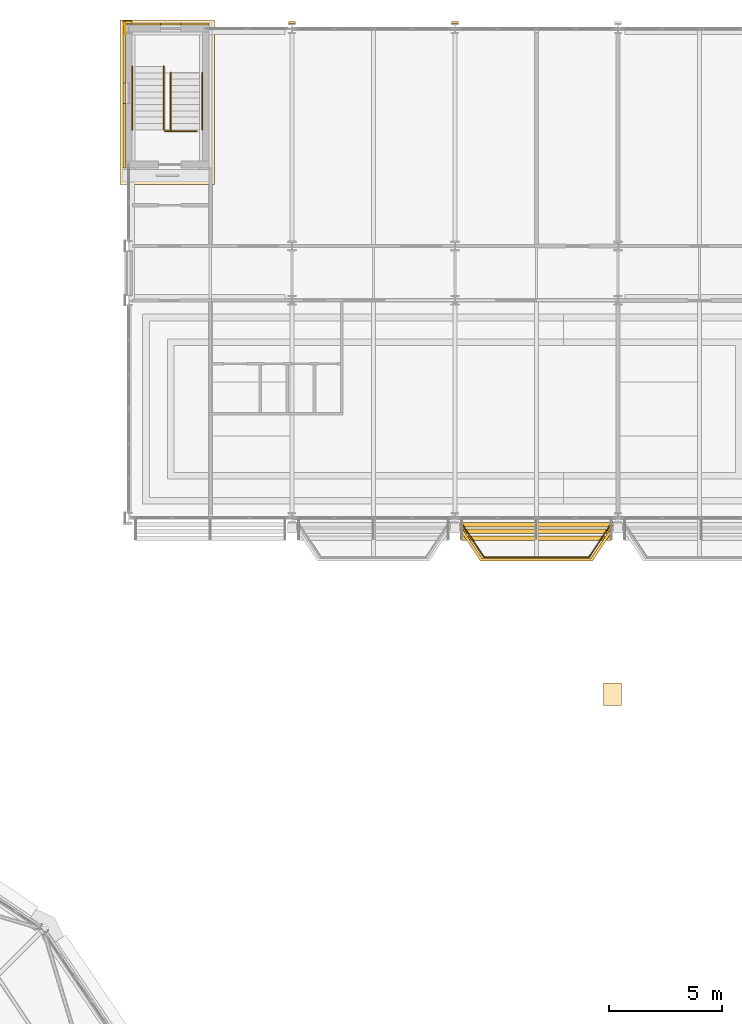
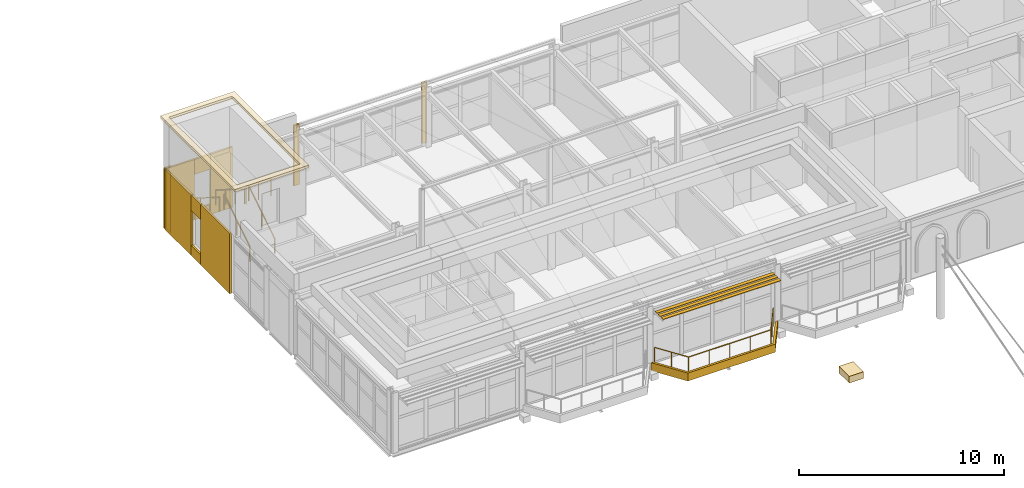
# One storey, part 62 of 68: 16 coverings, 6 railings, 3 shading devices.
"""IFC4 building model written with IfcOpenShell, lengths in metres."""

from ifc_helpers import new_model, si_unit, direction, frame, origin, origin_2d, place, context, subcontext, project, spatial, polyline, rectangle, circle, outline, extrude, material, layer, layer_set, type_object, element, save


model = new_model("IFC4")

# Units and contexts
model_context = context("Model", 3, precision=1e-05, world=origin(), true_north=direction((0.0, 1.0)))
body_context = subcontext(model_context, "Body", "Model", "MODEL_VIEW")
ifc_project = project(units=[si_unit("LENGTHUNIT", "METRE"), si_unit("AREAUNIT", "SQUARE_METRE"), si_unit("VOLUMEUNIT", "CUBIC_METRE"), si_unit("PLANEANGLEUNIT", "RADIAN"), si_unit("MASSUNIT", "GRAM", prefix="KILO")], contexts=[model_context])

# Site, building, storey
site_placement = place(None, origin())
site = spatial("IfcSite", under=ifc_project, at=site_placement, CompositionType="ELEMENT")
building_placement = place(site_placement, origin())
building = spatial("IfcBuilding", under=site, at=building_placement, Name="Kupolbacken Congress Centre", CompositionType="ELEMENT")
storey_placement = place(building_placement, frame((0.0, 0.0, 25.199951171875)))
storey = spatial("IfcBuildingStorey", under=building, at=storey_placement, Name="L07", CompositionType="ELEMENT", Elevation=25.199951171875)

# Coverings
ifc_material_1 = material(Name="Limestone cladding", Category="masonry")
ifc_layer_1 = layer(ifc_material_1, 0.1201171875)
ifc_layer_set_1 = layer_set([ifc_layer_1], Name="Limestone cladding")
covering_type_1 = type_object("IfcCoveringType", Name="CV1 limestone cladding band 120", PredefinedType="CLADDING", material=ifc_layer_set_1)
covering_1_placement = place(storey_placement, frame((0.0, 0.0, -0.199951171875)))
element("IfcCovering", 1, at=covering_1_placement, inside=storey, type_object=covering_type_1, Name="E/T/belt/L07/S/79.2", PredefinedType="CLADDING", context=body_context, shape_type="SweptSolid", body=[
    extrude(outline(polyline([(86.377685546875, 122.14990234375), (86.2333984375, 122.14990234375), (85.199951171875, 120.60009765625), (80.39990234375, 120.60009765625), (79.36669921875, 122.14990234375), (79.222412109375, 122.14990234375), (80.335693359375, 120.47998046875), (85.26416015625, 120.47998046875), (86.377685546875, 122.14990234375)])), origin(), (0.0, 0.0, 1.0), 0.47998046875),
])
ifc_material_2 = material(Name="Limestone cladding", Category="masonry")
ifc_layer_2 = layer(ifc_material_2, 0.14990234375)
ifc_layer_set_2 = layer_set([ifc_layer_2], Name="Limestone cladding")
covering_type_2 = type_object("IfcCoveringType", Name="CV11 limestone parapet coping 150", PredefinedType="CLADDING", material=ifc_layer_set_2)
covering_2_placement = place(storey_placement, frame((0.0, 0.0, 6.5400390625)))
element("IfcCovering", 2, at=covering_2_placement, inside=storey, type_object=covering_type_2, Name="Stair head-house coping TS3", PredefinedType="CLADDING", context=body_context, shape_type="SweptSolid", body=[
    extrude(outline(polyline([(64.419921875, 137.1201171875), (68.580078125, 137.1201171875), (68.580078125, 144.3798828125), (64.419921875, 144.3798828125), (64.419921875, 137.1201171875)]), holes=[polyline([(64.719970703125, 137.419921875), (64.719970703125, 144.080078125), (68.280029296875, 144.080078125), (68.280029296875, 137.419921875), (64.719970703125, 137.419921875)])]), origin(), (0.0, 0.0, 1.0), 0.14990234375),
])
ifc_material_3 = material(Name="Brick cladding", Category="masonry")
ifc_layer_3 = layer(ifc_material_3, 0.10791015625)
ifc_layer_set_3 = layer_set([ifc_layer_3], Name="Brick cladding")
covering_type_3 = type_object("IfcCoveringType", Name="CV2 brick cladding band 108", PredefinedType="CLADDING", material=ifc_layer_set_3)
covering_3_placement = place(storey_placement, frame((64.60009765625, 144.27490234375, 0.0), z_axis=(0.0, 0.0, 1.0), x_axis=(1.0, 0.0, 0.0)))
element("IfcCovering", 3, at=covering_3_placement, inside=storey, type_object=covering_type_3, Name="E/T/pilaster/L07/C-T-10W/corner", PredefinedType="CLADDING", context=body_context, shape_type="SweptSolid", body=[
    extrude(rectangle(XDim=0.10009765625, YDim=0.10009765625, at=origin_2d()), origin(), (0.0, 0.0, 1.0), 3.60009765625),
])
covering_4_placement = place(storey_placement, frame((64.800048828125, 144.27490234375, 0.0), z_axis=(0.0, 0.0, 1.0), x_axis=(1.0, 0.0, 0.0)))
element("IfcCovering", 4, at=covering_4_placement, inside=storey, type_object=covering_type_3, Name="E/T/pilaster/L07/C-T-10W/N", PredefinedType="CLADDING", context=body_context, shape_type="SweptSolid", body=[
    extrude(rectangle(XDim=0.300048828125, YDim=0.10009765625, at=origin_2d()), origin(), (0.0, 0.0, 1.0), 3.60009765625),
])
covering_5_placement = place(storey_placement, frame((64.639892578125, 144.0, 0.0), z_axis=(0.0, 0.0, 1.0), x_axis=(1.0, 0.0, 0.0)))
element("IfcCovering", 5, at=covering_5_placement, inside=storey, type_object=covering_type_3, Name="E/T/pilaster/L07/C-T-10W/W", PredefinedType="CLADDING", context=body_context, shape_type="SweptSolid", body=[
    extrude(rectangle(XDim=0.02001953125, YDim=0.449951171875, at=origin_2d()), origin(), (0.0, 0.0, 1.0), 3.60009765625),
])
for number, where, z_axis, x_axis, name in (
    (6, (72.0, 144.26611328125, 0.0), (0.0, 0.0, 1.0), (1.0, 0.0, 0.0), "E/T/pilaster/L07/C-T-11W/N"),
    (7, (79.199951171875, 144.26611328125, 0.0), (0.0, 0.0, 1.0), (1.0, 0.0, 0.0), "E/T/pilaster/L07/C-T-12W/N"),
):
    element("IfcCovering", number, at=place(storey_placement, frame(where, z_axis=z_axis, x_axis=x_axis)), inside=storey, type_object=covering_type_3, Name=name, PredefinedType="CLADDING", context=body_context, shape_type="SweptSolid", body=[
        extrude(rectangle(XDim=0.306884765625, YDim=0.10009765625, at=origin_2d()), origin(), (0.0, 0.0, 1.0), 3.60009765625),
    ])
covering_6_placement = place(storey_placement, frame((64.595947265625, 142.875, 0.0), z_axis=(0.0, 0.0, 1.0), x_axis=(0.0, -1.0, 0.0)))
element("IfcCovering", 8, at=covering_6_placement, inside=storey, type_object=covering_type_3, Name="S/core/L07/124/face0", PredefinedType="CLADDING", context=body_context, shape_type="SweptSolid", body=[
    extrude(rectangle(XDim=2.550048828125, YDim=0.10791015625, at=origin_2d()), origin(), (0.0, 0.0, 1.0), 3.60009765625),
])
covering_7_placement = place(storey_placement, frame((64.595947265625, 139.27490234375, 0.0), z_axis=(0.0, 0.0, 1.0), x_axis=(0.0, -1.0, 0.0)))
element("IfcCovering", 9, at=covering_7_placement, inside=storey, type_object=covering_type_3, Name="S/core/L07/124/face1", PredefinedType="CLADDING", context=body_context, shape_type="SweptSolid", body=[
    extrude(rectangle(XDim=2.85009765625, YDim=0.10791015625, at=origin_2d()), origin(), (0.0, 0.0, 1.0), 3.60009765625),
])
covering_8_placement = place(storey_placement, frame((64.595947265625, 141.14990234375, 0.0), z_axis=(0.0, 0.0, 1.0), x_axis=(0.0, -1.0, 0.0)))
element("IfcCovering", 10, at=covering_8_placement, inside=storey, type_object=covering_type_3, Name="S/core/L07/124/face2", PredefinedType="CLADDING", context=body_context, shape_type="SweptSolid", body=[
    extrude(rectangle(XDim=0.89990234375, YDim=0.10791015625, at=origin_2d()), origin(), (0.0, 0.0, 1.0), 0.60009765625),
])
covering_9_placement = place(storey_placement, frame((64.595947265625, 141.14990234375, 2.7001953125), z_axis=(0.0, 0.0, 1.0), x_axis=(0.0, -1.0, 0.0)))
element("IfcCovering", 11, at=covering_9_placement, inside=storey, type_object=covering_type_3, Name="S/core/L07/124/face3", PredefinedType="CLADDING", context=body_context, shape_type="SweptSolid", body=[
    extrude(rectangle(XDim=0.89990234375, YDim=0.10791015625, at=origin_2d()), origin(), (0.0, 0.0, 1.0), 0.89990234375),
])
covering_10_placement = place(storey_placement, frame((67.72509765625, 144.2041015625, 0.0), z_axis=(0.0, 0.0, 1.0), x_axis=(-1.0, 0.0, 0.0)))
element("IfcCovering", 12, at=covering_10_placement, inside=storey, type_object=covering_type_3, Name="S/core/L07/125/face0", PredefinedType="CLADDING", context=body_context, shape_type="SweptSolid", body=[
    extrude(rectangle(XDim=1.25, YDim=0.10791015625, at=origin_2d()), origin(), (0.0, 0.0, 1.0), 3.60009765625),
])
covering_11_placement = place(storey_placement, frame((65.425048828125, 144.2041015625, 0.0), z_axis=(0.0, 0.0, 1.0), x_axis=(-1.0, 0.0, 0.0)))
element("IfcCovering", 13, at=covering_11_placement, inside=storey, type_object=covering_type_3, Name="S/core/L07/125/face1", PredefinedType="CLADDING", context=body_context, shape_type="SweptSolid", body=[
    extrude(rectangle(XDim=1.550048828125, YDim=0.10791015625, at=origin_2d()), origin(), (0.0, 0.0, 1.0), 3.60009765625),
])
covering_12_placement = place(storey_placement, frame((66.64990234375, 144.2041015625, 0.0), z_axis=(0.0, 0.0, 1.0), x_axis=(-1.0, 0.0, 0.0)))
element("IfcCovering", 14, at=covering_12_placement, inside=storey, type_object=covering_type_3, Name="S/core/L07/125/face2", PredefinedType="CLADDING", context=body_context, shape_type="SweptSolid", body=[
    extrude(rectangle(XDim=0.89990234375, YDim=0.10791015625, at=origin_2d()), origin(), (0.0, 0.0, 1.0), 0.60009765625),
])
covering_13_placement = place(storey_placement, frame((66.64990234375, 144.2041015625, 2.7001953125), z_axis=(0.0, 0.0, 1.0), x_axis=(-1.0, 0.0, 0.0)))
element("IfcCovering", 15, at=covering_13_placement, inside=storey, type_object=covering_type_3, Name="S/core/L07/125/face3", PredefinedType="CLADDING", context=body_context, shape_type="SweptSolid", body=[
    extrude(rectangle(XDim=0.89990234375, YDim=0.10791015625, at=origin_2d()), origin(), (0.0, 0.0, 1.0), 0.89990234375),
])
ifc_material_4 = material(Name="Limestone cladding", Category="masonry")
ifc_layer_4 = layer(ifc_material_4, 0.35009765625)
ifc_layer_set_4 = layer_set([ifc_layer_4], Name="Limestone cladding")
covering_type_4 = type_object("IfcCoveringType", Name="CV3 limestone pilaster strip 350", PredefinedType="CLADDING", material=ifc_layer_set_4)
covering_14_placement = place(storey_placement, frame((86.14990234375, 114.60009765625, 1.650146484375), z_axis=(0.0, 0.0, 1.0), x_axis=(0.0, 1.0, 0.0)))
element("IfcCovering", 16, at=covering_14_placement, inside=storey, type_object=covering_type_4, Name="F/HR/pin/W/03/cap", PredefinedType="CLADDING", context=body_context, shape_type="SweptSolid", body=[
    extrude(rectangle(XDim=1.0, YDim=0.800048828125, at=origin_2d()), origin(), (0.0, 0.0, 1.0), 0.39990234375),
])

# Railings
ifc_material_5 = material(Name="Steel S235", Category="steel")
railing_type_1 = type_object("IfcRailingType", Name="RL1 guard 1100 steel balustrade", PredefinedType="GUARDRAIL", material=ifc_material_5)
railing_1_placement = place(storey_placement, frame((79.45361328125, 122.199951171875, 0.0)))
element("IfcRailing", 17, at=railing_1_placement, inside=storey, type_object=railing_type_1, Name="E/T/guard/LEDGE-L07-S79.2", PredefinedType="GUARDRAIL", context=body_context, shape_type="SweptSolid", body=[
    extrude(circle(Radius=0.02392578125, at=origin_2d()), frame((0.0, 0.0, 1.076171875), z_axis=(0.554669842351, -0.832070529455, 0.0), x_axis=(0.832070529455, 0.554669842351, 0.0)), (0.0, 0.0, 1.0), 1.856201171875),
    extrude(circle(Radius=0.02392578125, at=origin_2d()), frame((1.029541015625, -1.54443359375, 1.076171875), z_axis=(1.0, 0.0, 0.0), x_axis=(0.0, 1.0, 0.0)), (0.0, 0.0, 1.0), 4.633544921875),
    extrude(circle(Radius=0.02392578125, at=origin_2d()), frame((5.6630859375, -1.54443359375, 1.076171875), z_axis=(0.554760897331, 0.832009823736, 0.0), x_axis=(-0.832009823736, 0.554760897331, 0.0)), (0.0, 0.0, 1.0), 1.856201171875),
    extrude(circle(Radius=0.02099609375, at=origin_2d()), origin(), (0.0, 0.0, 1.0), 1.052001953125),
    extrude(circle(Radius=0.02099609375, at=origin_2d()), frame((0.5146484375, -0.772216796875, 0.0)), (0.0, 0.0, 1.0), 1.052001953125),
    extrude(circle(Radius=0.02099609375, at=origin_2d()), frame((1.029541015625, -1.54443359375, 0.0)), (0.0, 0.0, 1.0), 1.052001953125),
    extrude(circle(Radius=0.02099609375, at=origin_2d()), frame((2.18798828125, -1.54443359375, 0.0)), (0.0, 0.0, 1.0), 1.052001953125),
    extrude(circle(Radius=0.02099609375, at=origin_2d()), frame((3.34619140625, -1.54443359375, 0.0)), (0.0, 0.0, 1.0), 1.052001953125),
    extrude(circle(Radius=0.02099609375, at=origin_2d()), frame((4.504638671875, -1.54443359375, 0.0)), (0.0, 0.0, 1.0), 1.052001953125),
    extrude(circle(Radius=0.02099609375, at=origin_2d()), frame((5.6630859375, -1.54443359375, 0.0)), (0.0, 0.0, 1.0), 1.052001953125),
    extrude(circle(Radius=0.02099609375, at=origin_2d()), frame((6.177978515625, -0.772216796875, 0.0)), (0.0, 0.0, 1.0), 1.052001953125),
    extrude(circle(Radius=0.02099609375, at=origin_2d()), frame((6.69287109375, 0.0, 0.0)), (0.0, 0.0, 1.0), 1.052001953125),
])
railing_2_placement = place(storey_placement, frame((67.800048828125, 139.4599609375, 3.719970703125)))
element("IfcRailing", 18, at=railing_2_placement, inside=storey, type_object=railing_type_1, Name="C/guard/TS3/L07", PredefinedType="GUARDRAIL", context=body_context, shape_type="SweptSolid", body=[
    extrude(circle(Radius=0.02392578125, at=origin_2d()), frame((0.0, 0.0, 1.076171875), z_axis=(-1.0, 0.0, 0.0), x_axis=(0.0, -1.0, 0.0)), (0.0, 0.0, 1.0), 1.400146484375),
    extrude(circle(Radius=0.02099609375, at=origin_2d()), origin(), (0.0, 0.0, 1.0), 1.052001953125),
    extrude(circle(Radius=0.02099609375, at=origin_2d()), frame((-0.7001953125, 0.0, 0.0)), (0.0, 0.0, 1.0), 1.052001953125),
    extrude(circle(Radius=0.02099609375, at=origin_2d()), frame((-1.400146484375, 0.0, 0.0)), (0.0, 0.0, 1.0), 1.052001953125),
])
ifc_material_6 = material(Name="Steel S235", Category="steel")
railing_type_2 = type_object("IfcRailingType", Name="RL3 handrail wall-mounted 900", PredefinedType="HANDRAIL", material=ifc_material_6)
for number, where, name in (
    (19, (66.64990234375, 139.530029296875, 0.17724609375), "C/stair/TS3/L07/HR1L"),
    (20, (68.050048828125, 139.530029296875, 0.17724609375), "C/stair/TS3/L07/HR1R"),
):
    element("IfcRailing", number, at=place(storey_placement, frame(where)), inside=storey, type_object=railing_type_2, Name=name, PredefinedType="HANDRAIL", context=body_context, shape_type="SweptSolid", body=[
        extrude(circle(Radius=0.02392578125, at=origin_2d()), frame((0.0, 0.0, 0.8759765625), z_axis=(0.0, 0.845087894993, 0.534627393364), x_axis=(-1.0, 0.0, 0.0)), (0.0, 0.0, 1.0), 2.98193359375),
        extrude(circle(Radius=0.02099609375, at=origin_2d()), origin(), (0.0, 0.0, 1.0), 0.851806640625),
        extrude(circle(Radius=0.02099609375, at=origin_2d()), frame((0.0, 1.260009765625, 0.797119140625)), (0.0, 0.0, 1.0), 0.851806640625),
        extrude(circle(Radius=0.02099609375, at=origin_2d()), frame((0.0, 2.52001953125, 1.59423828125)), (0.0, 0.0, 1.0), 0.851806640625),
    ])
for number, where, name in (
    (21, (66.35009765625, 142.330078125, 1.94873046875), "C/stair/TS3/L07/HR2L"),
    (22, (64.949951171875, 142.330078125, 1.94873046875), "C/stair/TS3/L07/HR2R"),
):
    element("IfcRailing", number, at=place(storey_placement, frame(where)), inside=storey, type_object=railing_type_2, Name=name, PredefinedType="HANDRAIL", context=body_context, shape_type="SweptSolid", body=[
        extrude(circle(Radius=0.02392578125, at=origin_2d()), frame((0.0, 0.0, 0.8759765625), z_axis=(0.0, -0.845108730085, 0.534594457822), x_axis=(1.0, 0.0, 0.0)), (0.0, 0.0, 1.0), 3.313232421875),
        extrude(circle(Radius=0.02099609375, at=origin_2d()), origin(), (0.0, 0.0, 1.0), 0.851806640625),
        extrude(circle(Radius=0.02099609375, at=origin_2d()), frame((0.0, -0.933349609375, 0.59033203125)), (0.0, 0.0, 1.0), 0.851806640625),
        extrude(circle(Radius=0.02099609375, at=origin_2d()), frame((0.0, -1.86669921875, 1.180908203125)), (0.0, 0.0, 1.0), 0.851806640625),
        extrude(circle(Radius=0.02099609375, at=origin_2d()), frame((0.0, -2.800048828125, 1.771240234375)), (0.0, 0.0, 1.0), 0.851806640625),
    ])

# Shading devices
ifc_material_7 = material(Name="Aluminium alloy louvre", Category="aluminium")
ifc_layer_5 = layer(ifc_material_7, 0.030029296875)
ifc_layer_set_5 = layer_set([ifc_layer_5], Name="Aluminium alloy louvre")
shading_device_type = type_object("IfcShadingDeviceType", Name="SC1 louvre blade 30 x 200", PredefinedType="JALOUSIE", material=ifc_layer_set_5)
for number, where, z_axis, x_axis, name in (
    (23, (82.800048828125, 122.10009765625, 3.18994140625), (0.0, 0.0, 1.0), (1.0, 0.0, 0.0), "Brise-soleil blade"),
    (24, (82.800048828125, 121.800048828125, 3.18994140625), (0.0, 0.0, 1.0), (1.0, 0.0, 0.0), "Brise-soleil blade"),
    (25, (82.800048828125, 121.5, 3.18994140625), (0.0, 0.0, 1.0), (1.0, 0.0, 0.0), "Brise-soleil blade"),
):
    element("IfcShadingDevice", number, at=place(storey_placement, frame(where, z_axis=z_axis, x_axis=x_axis)), inside=storey, type_object=shading_device_type, Name=name, PredefinedType="JALOUSIE", context=body_context, shape_type="SweptSolid", body=[
        extrude(rectangle(XDim=6.633056640625, YDim=0.199951171875, at=origin_2d()), origin(), (0.0, 0.0, 1.0), 0.030029296875),
    ])

save(model, "model.ifc")
